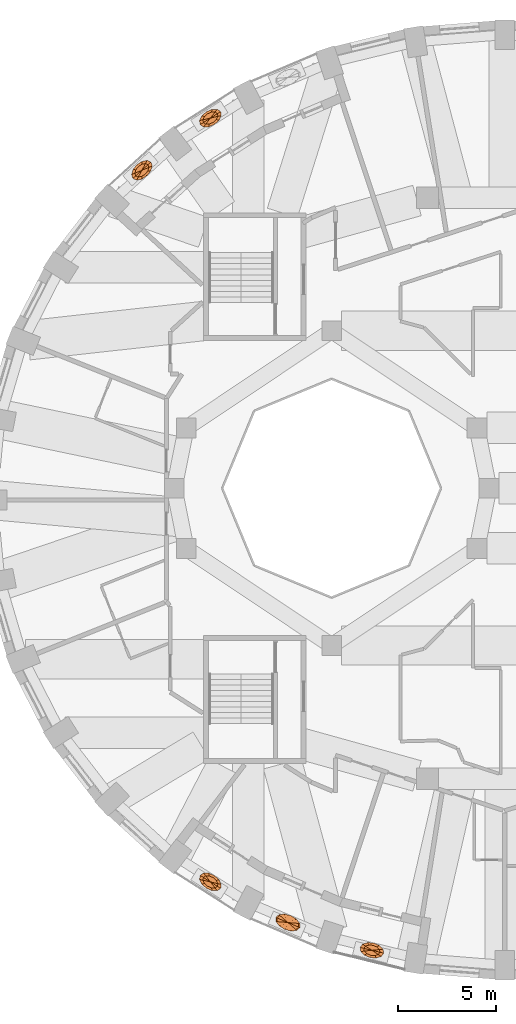
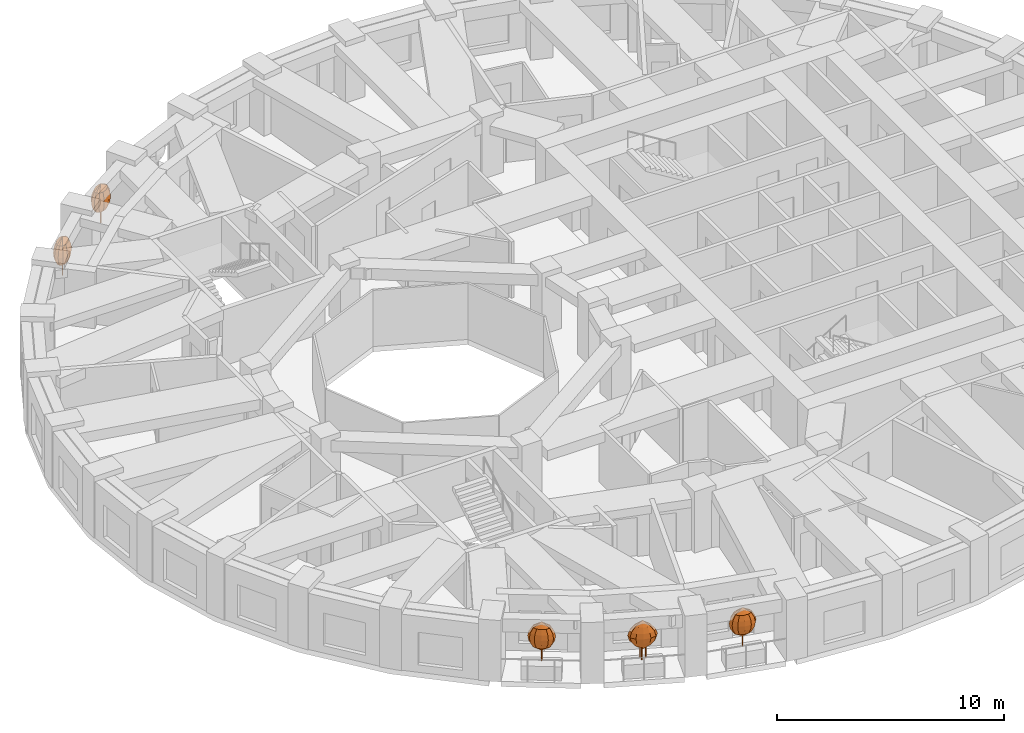
# One storey, part 11 of 12: 5 geographic elements.
"""IFC4 building model written with IfcOpenShell, lengths in metres."""

from ifc_helpers import new_model, si_unit, direction, frame, origin, place, context, subcontext, project, spatial, faceted_brep, material, constituent, constituent_set, type_object, element, save


model = new_model("IFC4")

# Units and contexts
model_context = context("Model", 3, precision=1e-05, world=origin(), true_north=direction((0.0, 1.0)))
body_context = subcontext(model_context, "Body", "Model", "MODEL_VIEW")
ifc_project = project(units=[si_unit("LENGTHUNIT", "METRE"), si_unit("AREAUNIT", "SQUARE_METRE"), si_unit("VOLUMEUNIT", "CUBIC_METRE"), si_unit("PLANEANGLEUNIT", "RADIAN"), si_unit("MASSUNIT", "GRAM", prefix="KILO")], contexts=[model_context])

# Site, building, storey
site_placement = place(None, origin())
site = spatial("IfcSite", under=ifc_project, at=site_placement, CompositionType="ELEMENT")
building_placement = place(site_placement, origin())
building = spatial("IfcBuilding", under=site, at=building_placement, Name="Taillehof Tower", CompositionType="ELEMENT")
storey_placement = place(building_placement, frame((0.0, 0.0, 118.60009765625)))
storey = spatial("IfcBuildingStorey", under=building, at=storey_placement, Name="L33", CompositionType="ELEMENT", Elevation=118.60009765625)

# Geographic elements
ifc_material_1 = material(Name="Tree bark", Category="timber")
ifc_constituent_1 = constituent(ifc_material_1, Name="Trunk", Category="timber")
ifc_material_2 = material(Name="Tree foliage")
ifc_constituent_2 = constituent(ifc_material_2, Name="Crown")
ifc_constituent_set_1 = constituent_set(constituents=[ifc_constituent_1, ifc_constituent_2], Name="Tree TR1 Columnar hornbeam")
geographic_element_type_1 = type_object("IfcGeographicElementType", Name="Tree TR1 Columnar hornbeam", PredefinedType="USERDEFINED", material=ifc_constituent_set_1)
geographic_element_1_placement = place(storey_placement, frame((-14.159423828125, -20.014404296875, 0.75)))
element("IfcGeographicElement", 1, at=geographic_element_1_placement, inside=storey, type_object=geographic_element_type_1, Name="Tree TR1 Columnar hornbeam", ObjectType="TREE", PredefinedType="USERDEFINED", context=body_context, shape_type="Brep", body=[
    faceted_brep([(0.030029296875, 0.0, 0.0), (0.021240234375, 0.021240234375, 0.0), (0.021240234375, 0.021240234375, 1.092529296875), (0.030029296875, 0.0, 1.092529296875), (0.0, 0.030029296875, 0.0), (0.0, 0.030029296875, 1.092529296875), (-0.021240234375, 0.021240234375, 0.0), (-0.021240234375, 0.021240234375, 1.092529296875), (-0.030029296875, 0.0, 0.0), (-0.030029296875, 0.0, 1.092529296875), (-0.021240234375, -0.021240234375, 0.0), (-0.021240234375, -0.021240234375, 1.092529296875), (0.0, -0.030029296875, 0.0), (0.0, -0.030029296875, 1.092529296875), (0.021240234375, -0.021240234375, 0.0), (0.021240234375, -0.021240234375, 1.092529296875)], [[[0, 1, 2, 3]], [[1, 4, 5, 2]], [[4, 6, 7, 5]], [[6, 8, 9, 7]], [[8, 10, 11, 9]], [[10, 12, 13, 11]], [[12, 14, 15, 13]], [[14, 0, 3, 15]], [[14, 12, 10, 8, 6, 4, 1, 0]], [[3, 2, 5, 7, 9, 11, 13, 15]]]),
    faceted_brep([(0.0, 0.0, 0.550048828125), (0.3779296875, -0.08642578125, 0.808349609375), (0.35595703125, -0.226318359375, 0.808349609375), (0.298583984375, 0.07666015625, 0.808349609375), (0.13916015625, 0.218994140625, 0.808349609375), (-0.057373046875, 0.302734375, 0.808349609375), (-0.238525390625, 0.305419921875, 0.808349609375), (-0.35595703125, 0.226318359375, 0.808349609375), (-0.3779296875, 0.08642578125, 0.808349609375), (-0.298583984375, -0.07666015625, 0.808349609375), (-0.13916015625, -0.218994140625, 0.808349609375), (0.057373046875, -0.302734375, 0.808349609375), (0.238525390625, -0.305419921875, 0.808349609375), (0.51123046875, -0.116943359375, 1.066650390625), (0.4814453125, -0.30615234375, 1.066650390625), (0.40380859375, 0.103515625, 1.066650390625), (0.1884765625, 0.29638671875, 1.066650390625), (-0.07763671875, 0.40966796875, 1.066650390625), (-0.32275390625, 0.413330078125, 1.066650390625), (-0.4814453125, 0.30615234375, 1.066650390625), (-0.51123046875, 0.116943359375, 1.066650390625), (-0.40380859375, -0.103515625, 1.066650390625), (-0.1884765625, -0.29638671875, 1.066650390625), (0.07763671875, -0.40966796875, 1.066650390625), (0.32275390625, -0.413330078125, 1.066650390625), (0.55322265625, -0.12646484375, 1.324951171875), (0.52099609375, -0.331298828125, 1.324951171875), (0.43701171875, 0.112060546875, 1.324951171875), (0.203857421875, 0.320556640625, 1.324951171875), (-0.083984375, 0.443359375, 1.324951171875), (-0.349365234375, 0.447265625, 1.324951171875), (-0.52099609375, 0.331298828125, 1.324951171875), (-0.55322265625, 0.12646484375, 1.324951171875), (-0.43701171875, -0.112060546875, 1.324951171875), (-0.203857421875, -0.320556640625, 1.324951171875), (0.083984375, -0.443359375, 1.324951171875), (0.349365234375, -0.447265625, 1.324951171875), (0.51123046875, -0.116943359375, 1.583251953125), (0.4814453125, -0.30615234375, 1.583251953125), (0.40380859375, 0.103515625, 1.583251953125), (0.1884765625, 0.29638671875, 1.583251953125), (-0.07763671875, 0.40966796875, 1.583251953125), (-0.32275390625, 0.413330078125, 1.583251953125), (-0.4814453125, 0.30615234375, 1.583251953125), (-0.51123046875, 0.116943359375, 1.583251953125), (-0.40380859375, -0.103515625, 1.583251953125), (-0.1884765625, -0.29638671875, 1.583251953125), (0.07763671875, -0.40966796875, 1.583251953125), (0.32275390625, -0.413330078125, 1.583251953125), (0.3779296875, -0.08642578125, 1.841552734375), (0.35595703125, -0.226318359375, 1.841552734375), (0.298583984375, 0.07666015625, 1.841552734375), (0.13916015625, 0.218994140625, 1.841552734375), (-0.057373046875, 0.302734375, 1.841552734375), (-0.238525390625, 0.305419921875, 1.841552734375), (-0.35595703125, 0.226318359375, 1.841552734375), (-0.3779296875, 0.08642578125, 1.841552734375), (-0.298583984375, -0.07666015625, 1.841552734375), (-0.13916015625, -0.218994140625, 1.841552734375), (0.057373046875, -0.302734375, 1.841552734375), (0.238525390625, -0.305419921875, 1.841552734375), (0.0, 0.0, 2.10009765625)], [[[0, 1, 2]], [[0, 3, 1]], [[0, 4, 3]], [[0, 5, 4]], [[0, 6, 5]], [[0, 7, 6]], [[0, 8, 7]], [[0, 9, 8]], [[0, 10, 9]], [[0, 11, 10]], [[0, 12, 11]], [[0, 2, 12]], [[2, 1, 13, 14]], [[1, 3, 15, 13]], [[3, 4, 16, 15]], [[4, 5, 17, 16]], [[5, 6, 18, 17]], [[6, 7, 19, 18]], [[7, 8, 20, 19]], [[8, 9, 21, 20]], [[9, 10, 22, 21]], [[10, 11, 23, 22]], [[11, 12, 24, 23]], [[12, 2, 14, 24]], [[14, 13, 25, 26]], [[13, 15, 27, 25]], [[15, 16, 28, 27]], [[16, 17, 29, 28]], [[17, 18, 30, 29]], [[18, 19, 31, 30]], [[19, 20, 32, 31]], [[20, 21, 33, 32]], [[21, 22, 34, 33]], [[22, 23, 35, 34]], [[23, 24, 36, 35]], [[24, 14, 26, 36]], [[26, 25, 37, 38]], [[25, 27, 39, 37]], [[27, 28, 40, 39]], [[28, 29, 41, 40]], [[29, 30, 42, 41]], [[30, 31, 43, 42]], [[31, 32, 44, 43]], [[32, 33, 45, 44]], [[33, 34, 46, 45]], [[34, 35, 47, 46]], [[35, 36, 48, 47]], [[36, 26, 38, 48]], [[38, 37, 49, 50]], [[37, 39, 51, 49]], [[39, 40, 52, 51]], [[40, 41, 53, 52]], [[41, 42, 54, 53]], [[42, 43, 55, 54]], [[43, 44, 56, 55]], [[44, 45, 57, 56]], [[45, 46, 58, 57]], [[46, 47, 59, 58]], [[47, 48, 60, 59]], [[48, 38, 50, 60]], [[50, 49, 61]], [[49, 51, 61]], [[51, 52, 61]], [[52, 53, 61]], [[53, 54, 61]], [[54, 55, 61]], [[55, 56, 61]], [[56, 57, 61]], [[57, 58, 61]], [[58, 59, 61]], [[59, 60, 61]], [[60, 50, 61]]]),
])
geographic_element_2_placement = place(storey_placement, frame((-5.94970703125, -23.49072265625, 0.75)))
element("IfcGeographicElement", 2, at=geographic_element_2_placement, inside=storey, type_object=geographic_element_type_1, Name="Tree TR1 Columnar hornbeam", ObjectType="TREE", PredefinedType="USERDEFINED", context=body_context, shape_type="Brep", body=[
    faceted_brep([(0.030029296875, 0.0, 0.0), (0.021240234375, 0.021240234375, 0.0), (0.021240234375, 0.021240234375, 1.092529296875), (0.030029296875, 0.0, 1.092529296875), (0.0, 0.030029296875, 0.0), (0.0, 0.030029296875, 1.092529296875), (-0.021240234375, 0.021240234375, 0.0), (-0.021240234375, 0.021240234375, 1.092529296875), (-0.030029296875, 0.0, 0.0), (-0.030029296875, 0.0, 1.092529296875), (-0.021240234375, -0.021240234375, 0.0), (-0.021240234375, -0.021240234375, 1.092529296875), (0.0, -0.030029296875, 0.0), (0.0, -0.030029296875, 1.092529296875), (0.021240234375, -0.021240234375, 0.0), (0.021240234375, -0.021240234375, 1.092529296875)], [[[0, 1, 2, 3]], [[1, 4, 5, 2]], [[4, 6, 7, 5]], [[6, 8, 9, 7]], [[8, 10, 11, 9]], [[10, 12, 13, 11]], [[12, 14, 15, 13]], [[14, 0, 3, 15]], [[14, 12, 10, 8, 6, 4, 1, 0]], [[3, 2, 5, 7, 9, 11, 13, 15]]]),
    faceted_brep([(0.0, 0.0, 0.550048828125), (0.385498046875, 0.039794921875, 0.808349609375), (0.409912109375, -0.099609375, 0.808349609375), (0.258056640625, 0.16845703125, 0.808349609375), (0.061279296875, 0.252197265625, 0.808349609375), (-0.15185546875, 0.268310546875, 0.808349609375), (-0.32421875, 0.21240234375, 0.808349609375), (-0.409912109375, 0.099609375, 0.808349609375), (-0.385498046875, -0.039794921875, 0.808349609375), (-0.258056640625, -0.16845703125, 0.808349609375), (-0.061279296875, -0.252197265625, 0.808349609375), (0.15185546875, -0.268310546875, 0.808349609375), (0.32421875, -0.21240234375, 0.808349609375), (0.521484375, 0.0537109375, 1.066650390625), (0.554443359375, -0.134765625, 1.066650390625), (0.34912109375, 0.22802734375, 1.066650390625), (0.0830078125, 0.341064453125, 1.066650390625), (-0.205322265625, 0.36279296875, 1.066650390625), (-0.4384765625, 0.287353515625, 1.066650390625), (-0.554443359375, 0.134765625, 1.066650390625), (-0.521484375, -0.0537109375, 1.066650390625), (-0.34912109375, -0.22802734375, 1.066650390625), (-0.0830078125, -0.341064453125, 1.066650390625), (0.205322265625, -0.36279296875, 1.066650390625), (0.4384765625, -0.287353515625, 1.066650390625), (0.564453125, 0.05810546875, 1.324951171875), (0.60009765625, -0.14599609375, 1.324951171875), (0.377685546875, 0.246826171875, 1.324951171875), (0.08984375, 0.369140625, 1.324951171875), (-0.22216796875, 0.392822265625, 1.324951171875), (-0.474609375, 0.31103515625, 1.324951171875), (-0.60009765625, 0.14599609375, 1.324951171875), (-0.564453125, -0.05810546875, 1.324951171875), (-0.377685546875, -0.246826171875, 1.324951171875), (-0.08984375, -0.369140625, 1.324951171875), (0.22216796875, -0.392822265625, 1.324951171875), (0.474609375, -0.31103515625, 1.324951171875), (0.521484375, 0.0537109375, 1.583251953125), (0.554443359375, -0.134765625, 1.583251953125), (0.34912109375, 0.22802734375, 1.583251953125), (0.0830078125, 0.341064453125, 1.583251953125), (-0.205322265625, 0.36279296875, 1.583251953125), (-0.4384765625, 0.287353515625, 1.583251953125), (-0.554443359375, 0.134765625, 1.583251953125), (-0.521484375, -0.0537109375, 1.583251953125), (-0.34912109375, -0.22802734375, 1.583251953125), (-0.0830078125, -0.341064453125, 1.583251953125), (0.205322265625, -0.36279296875, 1.583251953125), (0.4384765625, -0.287353515625, 1.583251953125), (0.385498046875, 0.039794921875, 1.841552734375), (0.409912109375, -0.099609375, 1.841552734375), (0.258056640625, 0.16845703125, 1.841552734375), (0.061279296875, 0.252197265625, 1.841552734375), (-0.15185546875, 0.268310546875, 1.841552734375), (-0.32421875, 0.21240234375, 1.841552734375), (-0.409912109375, 0.099609375, 1.841552734375), (-0.385498046875, -0.039794921875, 1.841552734375), (-0.258056640625, -0.16845703125, 1.841552734375), (-0.061279296875, -0.252197265625, 1.841552734375), (0.15185546875, -0.268310546875, 1.841552734375), (0.32421875, -0.21240234375, 1.841552734375), (0.0, 0.0, 2.10009765625)], [[[0, 1, 2]], [[0, 3, 1]], [[0, 4, 3]], [[0, 5, 4]], [[0, 6, 5]], [[0, 7, 6]], [[0, 8, 7]], [[0, 9, 8]], [[0, 10, 9]], [[0, 11, 10]], [[0, 12, 11]], [[0, 2, 12]], [[2, 1, 13, 14]], [[1, 3, 15, 13]], [[3, 4, 16, 15]], [[4, 5, 17, 16]], [[5, 6, 18, 17]], [[6, 7, 19, 18]], [[7, 8, 20, 19]], [[8, 9, 21, 20]], [[9, 10, 22, 21]], [[10, 11, 23, 22]], [[11, 12, 24, 23]], [[12, 2, 14, 24]], [[14, 13, 25, 26]], [[13, 15, 27, 25]], [[15, 16, 28, 27]], [[16, 17, 29, 28]], [[17, 18, 30, 29]], [[18, 19, 31, 30]], [[19, 20, 32, 31]], [[20, 21, 33, 32]], [[21, 22, 34, 33]], [[22, 23, 35, 34]], [[23, 24, 36, 35]], [[24, 14, 26, 36]], [[26, 25, 37, 38]], [[25, 27, 39, 37]], [[27, 28, 40, 39]], [[28, 29, 41, 40]], [[29, 30, 42, 41]], [[30, 31, 43, 42]], [[31, 32, 44, 43]], [[32, 33, 45, 44]], [[33, 34, 46, 45]], [[34, 35, 47, 46]], [[35, 36, 48, 47]], [[36, 26, 38, 48]], [[38, 37, 49, 50]], [[37, 39, 51, 49]], [[39, 40, 52, 51]], [[40, 41, 53, 52]], [[41, 42, 54, 53]], [[42, 43, 55, 54]], [[43, 44, 56, 55]], [[44, 45, 57, 56]], [[45, 46, 58, 57]], [[46, 47, 59, 58]], [[47, 48, 60, 59]], [[48, 38, 50, 60]], [[50, 49, 61]], [[49, 51, 61]], [[51, 52, 61]], [[52, 53, 61]], [[53, 54, 61]], [[54, 55, 61]], [[55, 56, 61]], [[56, 57, 61]], [[57, 58, 61]], [[58, 59, 61]], [[59, 60, 61]], [[60, 50, 61]]]),
])
geographic_element_3_placement = place(storey_placement, frame((-14.159423828125, 18.814453125, 0.75)))
element("IfcGeographicElement", 3, at=geographic_element_3_placement, inside=storey, type_object=geographic_element_type_1, Name="Tree TR1 Columnar hornbeam", ObjectType="TREE", PredefinedType="USERDEFINED", context=body_context, shape_type="Brep", body=[
    faceted_brep([(0.030029296875, 0.0, 0.0), (0.021240234375, 0.021240234375, 0.0), (0.021240234375, 0.021240234375, 1.092529296875), (0.030029296875, 0.0, 1.092529296875), (0.0, 0.030029296875, 0.0), (0.0, 0.030029296875, 1.092529296875), (-0.021240234375, 0.021240234375, 0.0), (-0.021240234375, 0.021240234375, 1.092529296875), (-0.030029296875, 0.0, 0.0), (-0.030029296875, 0.0, 1.092529296875), (-0.021240234375, -0.021240234375, 0.0), (-0.021240234375, -0.021240234375, 1.092529296875), (0.0, -0.030029296875, 0.0), (0.0, -0.030029296875, 1.092529296875), (0.021240234375, -0.021240234375, 0.0), (0.021240234375, -0.021240234375, 1.092529296875)], [[[0, 1, 2, 3]], [[1, 4, 5, 2]], [[4, 6, 7, 5]], [[6, 8, 9, 7]], [[8, 10, 11, 9]], [[10, 12, 13, 11]], [[12, 14, 15, 13]], [[14, 0, 3, 15]], [[14, 12, 10, 8, 6, 4, 1, 0]], [[3, 2, 5, 7, 9, 11, 13, 15]]]),
    faceted_brep([(0.0, 0.0, 0.550048828125), (-0.238525390625, -0.305419921875, 0.808349609375), (-0.35595703125, -0.226318359375, 0.808349609375), (-0.057373046875, -0.302734375, 0.808349609375), (0.13916015625, -0.218994140625, 0.808349609375), (0.298583984375, -0.07666015625, 0.808349609375), (0.3779296875, 0.08642578125, 0.808349609375), (0.35595703125, 0.226318359375, 0.808349609375), (0.238525390625, 0.305419921875, 0.808349609375), (0.057373046875, 0.302734375, 0.808349609375), (-0.13916015625, 0.218994140625, 0.808349609375), (-0.298583984375, 0.07666015625, 0.808349609375), (-0.3779296875, -0.08642578125, 0.808349609375), (-0.32275390625, -0.413330078125, 1.066650390625), (-0.4814453125, -0.30615234375, 1.066650390625), (-0.07763671875, -0.40966796875, 1.066650390625), (0.1884765625, -0.29638671875, 1.066650390625), (0.40380859375, -0.103515625, 1.066650390625), (0.51123046875, 0.116943359375, 1.066650390625), (0.4814453125, 0.30615234375, 1.066650390625), (0.32275390625, 0.413330078125, 1.066650390625), (0.07763671875, 0.40966796875, 1.066650390625), (-0.1884765625, 0.29638671875, 1.066650390625), (-0.40380859375, 0.103515625, 1.066650390625), (-0.51123046875, -0.116943359375, 1.066650390625), (-0.349365234375, -0.447265625, 1.324951171875), (-0.52099609375, -0.331298828125, 1.324951171875), (-0.083984375, -0.443359375, 1.324951171875), (0.203857421875, -0.320556640625, 1.324951171875), (0.43701171875, -0.112060546875, 1.324951171875), (0.55322265625, 0.12646484375, 1.324951171875), (0.52099609375, 0.331298828125, 1.324951171875), (0.349365234375, 0.447265625, 1.324951171875), (0.083984375, 0.443359375, 1.324951171875), (-0.203857421875, 0.320556640625, 1.324951171875), (-0.43701171875, 0.112060546875, 1.324951171875), (-0.55322265625, -0.12646484375, 1.324951171875), (-0.32275390625, -0.413330078125, 1.583251953125), (-0.4814453125, -0.30615234375, 1.583251953125), (-0.07763671875, -0.40966796875, 1.583251953125), (0.1884765625, -0.29638671875, 1.583251953125), (0.40380859375, -0.103515625, 1.583251953125), (0.51123046875, 0.116943359375, 1.583251953125), (0.4814453125, 0.30615234375, 1.583251953125), (0.32275390625, 0.413330078125, 1.583251953125), (0.07763671875, 0.40966796875, 1.583251953125), (-0.1884765625, 0.29638671875, 1.583251953125), (-0.40380859375, 0.103515625, 1.583251953125), (-0.51123046875, -0.116943359375, 1.583251953125), (-0.238525390625, -0.305419921875, 1.841552734375), (-0.35595703125, -0.226318359375, 1.841552734375), (-0.057373046875, -0.302734375, 1.841552734375), (0.13916015625, -0.218994140625, 1.841552734375), (0.298583984375, -0.07666015625, 1.841552734375), (0.3779296875, 0.08642578125, 1.841552734375), (0.35595703125, 0.226318359375, 1.841552734375), (0.238525390625, 0.305419921875, 1.841552734375), (0.057373046875, 0.302734375, 1.841552734375), (-0.13916015625, 0.218994140625, 1.841552734375), (-0.298583984375, 0.07666015625, 1.841552734375), (-0.3779296875, -0.08642578125, 1.841552734375), (0.0, 0.0, 2.10009765625)], [[[0, 1, 2]], [[0, 3, 1]], [[0, 4, 3]], [[0, 5, 4]], [[0, 6, 5]], [[0, 7, 6]], [[0, 8, 7]], [[0, 9, 8]], [[0, 10, 9]], [[0, 11, 10]], [[0, 12, 11]], [[0, 2, 12]], [[2, 1, 13, 14]], [[1, 3, 15, 13]], [[3, 4, 16, 15]], [[4, 5, 17, 16]], [[5, 6, 18, 17]], [[6, 7, 19, 18]], [[7, 8, 20, 19]], [[8, 9, 21, 20]], [[9, 10, 22, 21]], [[10, 11, 23, 22]], [[11, 12, 24, 23]], [[12, 2, 14, 24]], [[14, 13, 25, 26]], [[13, 15, 27, 25]], [[15, 16, 28, 27]], [[16, 17, 29, 28]], [[17, 18, 30, 29]], [[18, 19, 31, 30]], [[19, 20, 32, 31]], [[20, 21, 33, 32]], [[21, 22, 34, 33]], [[22, 23, 35, 34]], [[23, 24, 36, 35]], [[24, 14, 26, 36]], [[26, 25, 37, 38]], [[25, 27, 39, 37]], [[27, 28, 40, 39]], [[28, 29, 41, 40]], [[29, 30, 42, 41]], [[30, 31, 43, 42]], [[31, 32, 44, 43]], [[32, 33, 45, 44]], [[33, 34, 46, 45]], [[34, 35, 47, 46]], [[35, 36, 48, 47]], [[36, 26, 38, 48]], [[38, 37, 49, 50]], [[37, 39, 51, 49]], [[39, 40, 52, 51]], [[40, 41, 53, 52]], [[41, 42, 54, 53]], [[42, 43, 55, 54]], [[43, 44, 56, 55]], [[44, 45, 57, 56]], [[45, 46, 58, 57]], [[46, 47, 59, 58]], [[47, 48, 60, 59]], [[48, 38, 50, 60]], [[50, 49, 61]], [[49, 51, 61]], [[51, 52, 61]], [[52, 53, 61]], [[53, 54, 61]], [[54, 55, 61]], [[55, 56, 61]], [[56, 57, 61]], [[57, 58, 61]], [[58, 59, 61]], [[59, 60, 61]], [[60, 50, 61]]]),
])
geographic_element_4_placement = place(storey_placement, frame((-17.643310546875, 16.16015625, 0.75)))
element("IfcGeographicElement", 4, at=geographic_element_4_placement, inside=storey, type_object=geographic_element_type_1, Name="Tree TR1 Columnar hornbeam", ObjectType="TREE", PredefinedType="USERDEFINED", context=body_context, shape_type="Brep", body=[
    faceted_brep([(0.030029296875, 0.0, 0.0), (0.021240234375, 0.021240234375, 0.0), (0.021240234375, 0.021240234375, 1.092529296875), (0.030029296875, 0.0, 1.092529296875), (0.0, 0.030029296875, 0.0), (0.0, 0.030029296875, 1.092529296875), (-0.021240234375, 0.021240234375, 0.0), (-0.021240234375, 0.021240234375, 1.092529296875), (-0.030029296875, 0.0, 0.0), (-0.030029296875, 0.0, 1.092529296875), (-0.021240234375, -0.021240234375, 0.0), (-0.021240234375, -0.021240234375, 1.092529296875), (0.0, -0.030029296875, 0.0), (0.0, -0.030029296875, 1.092529296875), (0.021240234375, -0.021240234375, 0.0), (0.021240234375, -0.021240234375, 1.092529296875)], [[[0, 1, 2, 3]], [[1, 4, 5, 2]], [[4, 6, 7, 5]], [[6, 8, 9, 7]], [[8, 10, 11, 9]], [[10, 12, 13, 11]], [[12, 14, 15, 13]], [[14, 0, 3, 15]], [[14, 12, 10, 8, 6, 4, 1, 0]], [[3, 2, 5, 7, 9, 11, 13, 15]]]),
    faceted_brep([(0.0, 0.0, 0.550048828125), (-0.18310546875, -0.341552734375, 0.808349609375), (-0.312255859375, -0.283447265625, 0.808349609375), (-0.005126953125, -0.30810546875, 0.808349609375), (0.174560546875, -0.192138671875, 0.808349609375), (0.30712890625, -0.024658203125, 0.808349609375), (0.357666015625, 0.1494140625, 0.808349609375), (0.312255859375, 0.283447265625, 0.808349609375), (0.18310546875, 0.341552734375, 0.808349609375), (0.005126953125, 0.30810546875, 0.808349609375), (-0.174560546875, 0.192138671875, 0.808349609375), (-0.30712890625, 0.024658203125, 0.808349609375), (-0.357666015625, -0.1494140625, 0.808349609375), (-0.247802734375, -0.462158203125, 1.066650390625), (-0.42236328125, -0.383544921875, 1.066650390625), (-0.0068359375, -0.4169921875, 1.066650390625), (0.236083984375, -0.260009765625, 1.066650390625), (0.41552734375, -0.033447265625, 1.066650390625), (0.48388671875, 0.2021484375, 1.066650390625), (0.42236328125, 0.383544921875, 1.066650390625), (0.247802734375, 0.462158203125, 1.066650390625), (0.0068359375, 0.4169921875, 1.066650390625), (-0.236083984375, 0.260009765625, 1.066650390625), (-0.41552734375, 0.033447265625, 1.066650390625), (-0.48388671875, -0.2021484375, 1.066650390625), (-0.268310546875, -0.500244140625, 1.324951171875), (-0.457275390625, -0.4150390625, 1.324951171875), (-0.00732421875, -0.451171875, 1.324951171875), (0.25537109375, -0.28125, 1.324951171875), (0.44970703125, -0.0361328125, 1.324951171875), (0.523681640625, 0.21875, 1.324951171875), (0.457275390625, 0.4150390625, 1.324951171875), (0.268310546875, 0.500244140625, 1.324951171875), (0.00732421875, 0.451171875, 1.324951171875), (-0.25537109375, 0.28125, 1.324951171875), (-0.44970703125, 0.0361328125, 1.324951171875), (-0.523681640625, -0.21875, 1.324951171875), (-0.247802734375, -0.462158203125, 1.583251953125), (-0.42236328125, -0.383544921875, 1.583251953125), (-0.0068359375, -0.4169921875, 1.583251953125), (0.236083984375, -0.260009765625, 1.583251953125), (0.41552734375, -0.033447265625, 1.583251953125), (0.48388671875, 0.2021484375, 1.583251953125), (0.42236328125, 0.383544921875, 1.583251953125), (0.247802734375, 0.462158203125, 1.583251953125), (0.0068359375, 0.4169921875, 1.583251953125), (-0.236083984375, 0.260009765625, 1.583251953125), (-0.41552734375, 0.033447265625, 1.583251953125), (-0.48388671875, -0.2021484375, 1.583251953125), (-0.18310546875, -0.341552734375, 1.841552734375), (-0.312255859375, -0.283447265625, 1.841552734375), (-0.005126953125, -0.30810546875, 1.841552734375), (0.174560546875, -0.192138671875, 1.841552734375), (0.30712890625, -0.024658203125, 1.841552734375), (0.357666015625, 0.1494140625, 1.841552734375), (0.312255859375, 0.283447265625, 1.841552734375), (0.18310546875, 0.341552734375, 1.841552734375), (0.005126953125, 0.30810546875, 1.841552734375), (-0.174560546875, 0.192138671875, 1.841552734375), (-0.30712890625, 0.024658203125, 1.841552734375), (-0.357666015625, -0.1494140625, 1.841552734375), (0.0, 0.0, 2.10009765625)], [[[0, 1, 2]], [[0, 3, 1]], [[0, 4, 3]], [[0, 5, 4]], [[0, 6, 5]], [[0, 7, 6]], [[0, 8, 7]], [[0, 9, 8]], [[0, 10, 9]], [[0, 11, 10]], [[0, 12, 11]], [[0, 2, 12]], [[2, 1, 13, 14]], [[1, 3, 15, 13]], [[3, 4, 16, 15]], [[4, 5, 17, 16]], [[5, 6, 18, 17]], [[6, 7, 19, 18]], [[7, 8, 20, 19]], [[8, 9, 21, 20]], [[9, 10, 22, 21]], [[10, 11, 23, 22]], [[11, 12, 24, 23]], [[12, 2, 14, 24]], [[14, 13, 25, 26]], [[13, 15, 27, 25]], [[15, 16, 28, 27]], [[16, 17, 29, 28]], [[17, 18, 30, 29]], [[18, 19, 31, 30]], [[19, 20, 32, 31]], [[20, 21, 33, 32]], [[21, 22, 34, 33]], [[22, 23, 35, 34]], [[23, 24, 36, 35]], [[24, 14, 26, 36]], [[26, 25, 37, 38]], [[25, 27, 39, 37]], [[27, 28, 40, 39]], [[28, 29, 41, 40]], [[29, 30, 42, 41]], [[30, 31, 43, 42]], [[31, 32, 44, 43]], [[32, 33, 45, 44]], [[33, 34, 46, 45]], [[34, 35, 47, 46]], [[35, 36, 48, 47]], [[36, 26, 38, 48]], [[38, 37, 49, 50]], [[37, 39, 51, 49]], [[39, 40, 52, 51]], [[40, 41, 53, 52]], [[41, 42, 54, 53]], [[42, 43, 55, 54]], [[43, 44, 56, 55]], [[44, 45, 57, 56]], [[45, 46, 58, 57]], [[46, 47, 59, 58]], [[47, 48, 60, 59]], [[48, 38, 50, 60]], [[50, 49, 61]], [[49, 51, 61]], [[51, 52, 61]], [[52, 53, 61]], [[53, 54, 61]], [[54, 55, 61]], [[55, 56, 61]], [[56, 57, 61]], [[57, 58, 61]], [[58, 59, 61]], [[59, 60, 61]], [[60, 50, 61]]]),
])
ifc_material_3 = material(Name="Tree bark", Category="timber")
ifc_constituent_3 = constituent(ifc_material_3, Name="Trunk", Category="timber")
ifc_material_4 = material(Name="Tree foliage")
ifc_constituent_4 = constituent(ifc_material_4, Name="Crown")
ifc_constituent_set_2 = constituent_set(constituents=[ifc_constituent_3, ifc_constituent_4], Name="Tree TR3 Multi-stem serviceberry")
geographic_element_type_2 = type_object("IfcGeographicElementType", Name="Tree TR3 Multi-stem serviceberry", PredefinedType="USERDEFINED", material=ifc_constituent_set_2)
geographic_element_5_placement = place(storey_placement, frame((-10.2216796875, -22.078857421875, 0.75)))
element("IfcGeographicElement", 5, at=geographic_element_5_placement, inside=storey, type_object=geographic_element_type_2, Name="Tree TR3 Multi-stem serviceberry", ObjectType="TREE", PredefinedType="USERDEFINED", context=body_context, shape_type="Brep", body=[
    faceted_brep([(0.195068359375, 0.0, 0.0), (0.186767578125, 0.0205078125, 0.0), (0.186767578125, 0.0205078125, 1.04248046875), (0.195068359375, 0.0, 1.04248046875), (0.166259765625, 0.02880859375, 0.0), (0.166259765625, 0.02880859375, 1.04248046875), (0.145751953125, 0.0205078125, 0.0), (0.145751953125, 0.0205078125, 1.04248046875), (0.137451171875, 0.0, 0.0), (0.137451171875, 0.0, 1.04248046875), (0.145751953125, -0.0205078125, 0.0), (0.145751953125, -0.0205078125, 1.04248046875), (0.166259765625, -0.02880859375, 0.0), (0.166259765625, -0.02880859375, 1.04248046875), (0.186767578125, -0.0205078125, 0.0), (0.186767578125, -0.0205078125, 1.04248046875)], [[[0, 1, 2, 3]], [[1, 4, 5, 2]], [[4, 6, 7, 5]], [[6, 8, 9, 7]], [[8, 10, 11, 9]], [[10, 12, 13, 11]], [[12, 14, 15, 13]], [[14, 0, 3, 15]], [[14, 12, 10, 8, 6, 4, 1, 0]], [[3, 2, 5, 7, 9, 11, 13, 15]]]),
    faceted_brep([(-0.05419921875, 0.082275390625, 0.0), (-0.062744140625, 0.102783203125, 0.0), (-0.062744140625, 0.102783203125, 1.04248046875), (-0.05419921875, 0.082275390625, 1.04248046875), (-0.0830078125, 0.111083984375, 0.0), (-0.0830078125, 0.111083984375, 1.04248046875), (-0.103515625, 0.102783203125, 0.0), (-0.103515625, 0.102783203125, 1.04248046875), (-0.112060546875, 0.082275390625, 0.0), (-0.112060546875, 0.082275390625, 1.04248046875), (-0.103515625, 0.061767578125, 0.0), (-0.103515625, 0.061767578125, 1.04248046875), (-0.0830078125, 0.053466796875, 0.0), (-0.0830078125, 0.053466796875, 1.04248046875), (-0.062744140625, 0.061767578125, 0.0), (-0.062744140625, 0.061767578125, 1.04248046875)], [[[0, 1, 2, 3]], [[1, 4, 5, 2]], [[4, 6, 7, 5]], [[6, 8, 9, 7]], [[8, 10, 11, 9]], [[10, 12, 13, 11]], [[12, 14, 15, 13]], [[14, 0, 3, 15]], [[14, 12, 10, 8, 6, 4, 1, 0]], [[3, 2, 5, 7, 9, 11, 13, 15]]]),
    faceted_brep([(-0.05419921875, -0.082275390625, 0.0), (-0.062744140625, -0.061767578125, 0.0), (-0.062744140625, -0.061767578125, 1.04248046875), (-0.05419921875, -0.082275390625, 1.04248046875), (-0.0830078125, -0.053466796875, 0.0), (-0.0830078125, -0.053466796875, 1.04248046875), (-0.103515625, -0.061767578125, 0.0), (-0.103515625, -0.061767578125, 1.04248046875), (-0.112060546875, -0.082275390625, 0.0), (-0.112060546875, -0.082275390625, 1.04248046875), (-0.103515625, -0.102783203125, 0.0), (-0.103515625, -0.102783203125, 1.04248046875), (-0.0830078125, -0.111083984375, 0.0), (-0.0830078125, -0.111083984375, 1.04248046875), (-0.062744140625, -0.102783203125, 0.0), (-0.062744140625, -0.102783203125, 1.04248046875)], [[[0, 1, 2, 3]], [[1, 4, 5, 2]], [[4, 6, 7, 5]], [[6, 8, 9, 7]], [[8, 10, 11, 9]], [[10, 12, 13, 11]], [[12, 14, 15, 13]], [[14, 0, 3, 15]], [[14, 12, 10, 8, 6, 4, 1, 0]], [[3, 2, 5, 7, 9, 11, 13, 15]]]),
    faceted_brep([(0.0, 0.0, 0.5), (0.34716796875, -0.028564453125, 0.75830078125), (0.351806640625, -0.14892578125, 0.75830078125), (0.24951171875, 0.099609375, 0.75830078125), (0.085205078125, 0.200927734375, 0.75830078125), (-0.10205078125, 0.24853515625, 0.75830078125), (-0.261962890625, 0.2294921875, 0.75830078125), (-0.351806640625, 0.14892578125, 0.75830078125), (-0.34716796875, 0.028564453125, 0.75830078125), (-0.24951171875, -0.099609375, 0.75830078125), (-0.085205078125, -0.200927734375, 0.75830078125), (0.10205078125, -0.24853515625, 0.75830078125), (0.261962890625, -0.2294921875, 0.75830078125), (0.538818359375, -0.044189453125, 1.0166015625), (0.5458984375, -0.231201171875, 1.0166015625), (0.38720703125, 0.154541015625, 1.0166015625), (0.132080078125, 0.31201171875, 1.0166015625), (-0.158447265625, 0.3857421875, 1.0166015625), (-0.40673828125, 0.356201171875, 1.0166015625), (-0.5458984375, 0.231201171875, 1.0166015625), (-0.538818359375, 0.044189453125, 1.0166015625), (-0.38720703125, -0.154541015625, 1.0166015625), (-0.132080078125, -0.31201171875, 1.0166015625), (0.158447265625, -0.3857421875, 1.0166015625), (0.40673828125, -0.356201171875, 1.0166015625), (0.6044921875, -0.049560546875, 1.27490234375), (0.6123046875, -0.25927734375, 1.27490234375), (0.4345703125, 0.17333984375, 1.27490234375), (0.148193359375, 0.349853515625, 1.27490234375), (-0.177978515625, 0.4326171875, 1.27490234375), (-0.456298828125, 0.3994140625, 1.27490234375), (-0.6123046875, 0.25927734375, 1.27490234375), (-0.6044921875, 0.049560546875, 1.27490234375), (-0.4345703125, -0.17333984375, 1.27490234375), (-0.148193359375, -0.349853515625, 1.27490234375), (0.177978515625, -0.4326171875, 1.27490234375), (0.456298828125, -0.3994140625, 1.27490234375), (0.538818359375, -0.044189453125, 1.533447265625), (0.5458984375, -0.231201171875, 1.533447265625), (0.38720703125, 0.154541015625, 1.533447265625), (0.132080078125, 0.31201171875, 1.533447265625), (-0.158447265625, 0.3857421875, 1.533447265625), (-0.40673828125, 0.356201171875, 1.533447265625), (-0.5458984375, 0.231201171875, 1.533447265625), (-0.538818359375, 0.044189453125, 1.533447265625), (-0.38720703125, -0.154541015625, 1.533447265625), (-0.132080078125, -0.31201171875, 1.533447265625), (0.158447265625, -0.3857421875, 1.533447265625), (0.40673828125, -0.356201171875, 1.533447265625), (0.34716796875, -0.028564453125, 1.791748046875), (0.351806640625, -0.14892578125, 1.791748046875), (0.24951171875, 0.099609375, 1.791748046875), (0.085205078125, 0.200927734375, 1.791748046875), (-0.10205078125, 0.24853515625, 1.791748046875), (-0.261962890625, 0.2294921875, 1.791748046875), (-0.351806640625, 0.14892578125, 1.791748046875), (-0.34716796875, 0.028564453125, 1.791748046875), (-0.24951171875, -0.099609375, 1.791748046875), (-0.085205078125, -0.200927734375, 1.791748046875), (0.10205078125, -0.24853515625, 1.791748046875), (0.261962890625, -0.2294921875, 1.791748046875), (0.0, 0.0, 2.050048828125)], [[[0, 1, 2]], [[0, 3, 1]], [[0, 4, 3]], [[0, 5, 4]], [[0, 6, 5]], [[0, 7, 6]], [[0, 8, 7]], [[0, 9, 8]], [[0, 10, 9]], [[0, 11, 10]], [[0, 12, 11]], [[0, 2, 12]], [[2, 1, 13, 14]], [[1, 3, 15, 13]], [[3, 4, 16, 15]], [[4, 5, 17, 16]], [[5, 6, 18, 17]], [[6, 7, 19, 18]], [[7, 8, 20, 19]], [[8, 9, 21, 20]], [[9, 10, 22, 21]], [[10, 11, 23, 22]], [[11, 12, 24, 23]], [[12, 2, 14, 24]], [[14, 13, 25, 26]], [[13, 15, 27, 25]], [[15, 16, 28, 27]], [[16, 17, 29, 28]], [[17, 18, 30, 29]], [[18, 19, 31, 30]], [[19, 20, 32, 31]], [[20, 21, 33, 32]], [[21, 22, 34, 33]], [[22, 23, 35, 34]], [[23, 24, 36, 35]], [[24, 14, 26, 36]], [[26, 25, 37, 38]], [[25, 27, 39, 37]], [[27, 28, 40, 39]], [[28, 29, 41, 40]], [[29, 30, 42, 41]], [[30, 31, 43, 42]], [[31, 32, 44, 43]], [[32, 33, 45, 44]], [[33, 34, 46, 45]], [[34, 35, 47, 46]], [[35, 36, 48, 47]], [[36, 26, 38, 48]], [[38, 37, 49, 50]], [[37, 39, 51, 49]], [[39, 40, 52, 51]], [[40, 41, 53, 52]], [[41, 42, 54, 53]], [[42, 43, 55, 54]], [[43, 44, 56, 55]], [[44, 45, 57, 56]], [[45, 46, 58, 57]], [[46, 47, 59, 58]], [[47, 48, 60, 59]], [[48, 38, 50, 60]], [[50, 49, 61]], [[49, 51, 61]], [[51, 52, 61]], [[52, 53, 61]], [[53, 54, 61]], [[54, 55, 61]], [[55, 56, 61]], [[56, 57, 61]], [[57, 58, 61]], [[58, 59, 61]], [[59, 60, 61]], [[60, 50, 61]]]),
])

save(model, "model.ifc")
